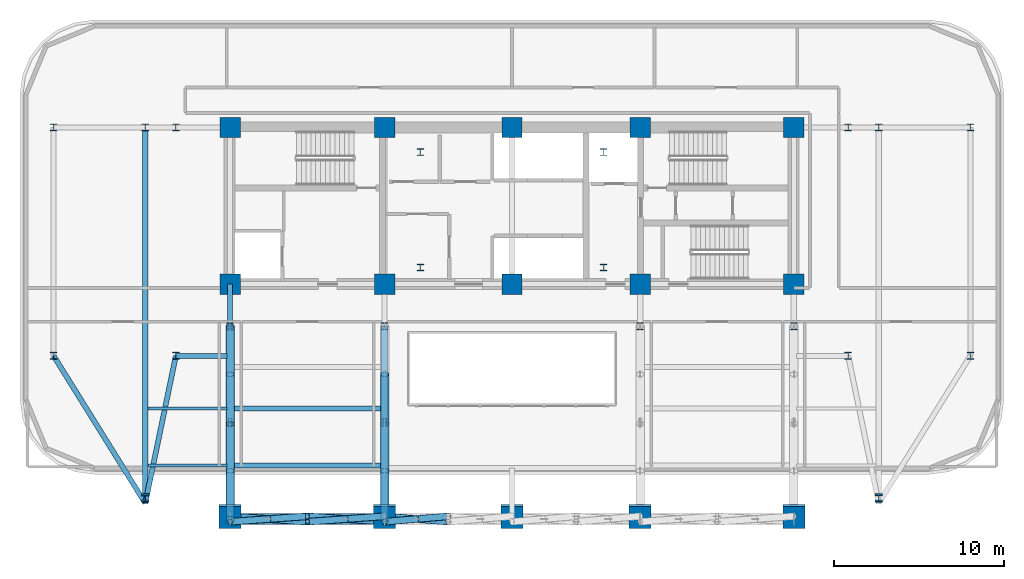
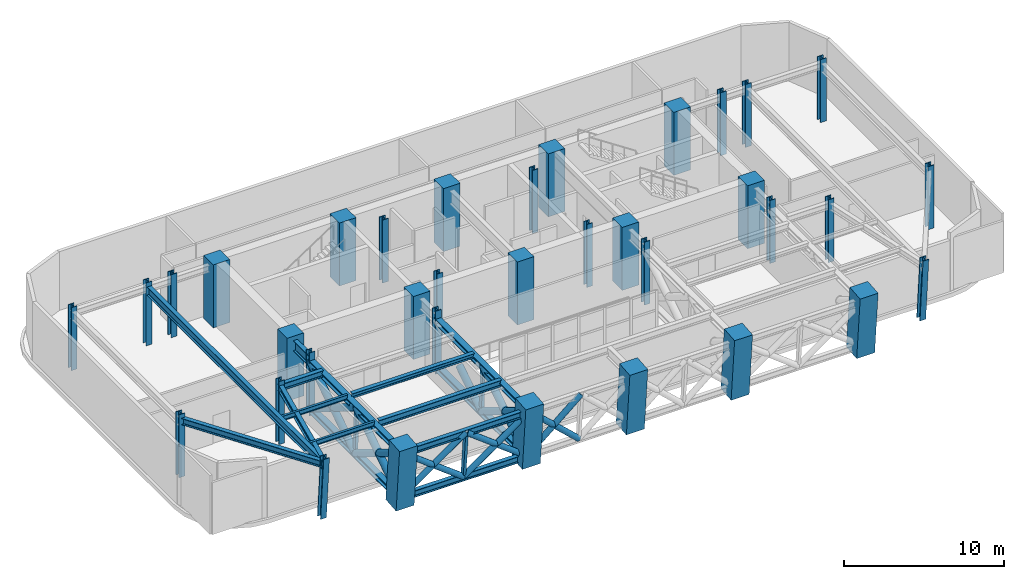
# One storey, part 1 of 13: 35 columns, 28 members, 9 beams.
"""IFC4 building model written with IfcOpenShell, lengths in metres."""

from ifc_helpers import new_model, si_unit, direction, frame, origin, origin_2d, place, context, subcontext, project, spatial, rectangle, hollow_rectangle, hollow_circle, i_section, extrude, material, material_profile, profile_set, type_object, element, save


model = new_model("IFC4")

# Units and contexts
model_context = context("Model", 3, precision=1e-05, world=origin(), true_north=direction((0.0, 1.0)))
body_context = subcontext(model_context, "Body", "Model", "MODEL_VIEW")
ifc_project = project(units=[si_unit("LENGTHUNIT", "METRE"), si_unit("AREAUNIT", "SQUARE_METRE"), si_unit("VOLUMEUNIT", "CUBIC_METRE"), si_unit("PLANEANGLEUNIT", "RADIAN"), si_unit("MASSUNIT", "GRAM", prefix="KILO")], contexts=[model_context])

# Site, building, storey
site_placement = place(None, origin())
site = spatial("IfcSite", under=ifc_project, at=site_placement, CompositionType="ELEMENT")
building_placement = place(site_placement, origin())
building = spatial("IfcBuilding", under=site, at=building_placement, Name="Zarnavel Station Tower", CompositionType="ELEMENT")
storey_placement = place(building_placement, frame((0.0, 0.0, 132.89990234375)))
storey = spatial("IfcBuildingStorey", under=building, at=storey_placement, Name="L36", CompositionType="ELEMENT", Elevation=132.89990234375)

# Columns
ifc_material_1 = material(Name="Steel S460M", Category="steel")
ifc_material_profile_1 = material_profile(ifc_material_1, i_section(OverallWidth=0.41796875, OverallDepth=0.431884765625, WebThickness=0.034912109375, FlangeThickness=0.055908203125, FilletRadius=0.014892578125, at=origin_2d()), Name="HD400x421")
ifc_profile_set_1 = profile_set([ifc_material_profile_1], Name="Steel S460M")
column_type_1 = type_object("IfcColumnType", Name="EC_HD421", PredefinedType="COLUMN", material=ifc_profile_set_1)
for number, where, z_axis, x_axis, name in (
    (1, (1.800048828125, 23.60009765625, 0.0), (0.0, 0.0, 1.0), (1.0, 0.0, 0.0), "L36 Outer Wing South Column 1"),
    (2, (1.800048828125, 37.050048828125, 0.0), (0.0, 0.0, 1.0), (1.0, 0.0, 0.0), "L36 Outer Wing North Column 1"),
):
    element("IfcColumn", number, at=place(storey_placement, frame(where, z_axis=z_axis, x_axis=x_axis)), inside=storey, type_object=column_type_1, Name=name, PredefinedType="COLUMN", context=body_context, shape_type="SweptSolid", body=[
        extrude(i_section(OverallWidth=0.41796875, OverallDepth=0.431884765625, WebThickness=0.034912109375, FlangeThickness=0.055908203125, FilletRadius=0.014892578125, at=origin_2d()), origin(), (0.0, 0.0, 1.0), 4.800048828125),
    ])
for number, where, z_axis, x_axis, name in (
    (3, (7.199951171875, 15.2724609375, 0.0), (0.0, -0.079902397774, 0.996802692026), (1.0, 0.0, 0.0), "L36 Raked Wing Column 2"),
    (4, (50.39990234375, 15.2724609375, 0.0), (0.0, -0.079902397774, 0.996802692026), (1.0, 0.0, 0.0), "L36 Raked Wing Column 3"),
):
    element("IfcColumn", number, at=place(storey_placement, frame(where, z_axis=z_axis, x_axis=x_axis)), inside=storey, type_object=column_type_1, Name=name, PredefinedType="COLUMN", context=body_context, shape_type="SweptSolid", body=[
        extrude(i_section(OverallWidth=0.41796875, OverallDepth=0.431884765625, WebThickness=0.034912109375, FlangeThickness=0.055908203125, FilletRadius=0.014892578125, at=origin_2d()), origin(), (0.0, 0.0, 1.0), 4.8154296875),
    ])
for number, where, z_axis, x_axis, name in (
    (5, (55.800048828125, 23.60009765625, 0.0), (0.0, 0.0, 1.0), (1.0, 0.0, 0.0), "L36 Outer Wing South Column 4"),
    (6, (55.800048828125, 37.050048828125, 0.0), (0.0, 0.0, 1.0), (1.0, 0.0, 0.0), "L36 Outer Wing North Column 4"),
):
    element("IfcColumn", number, at=place(storey_placement, frame(where, z_axis=z_axis, x_axis=x_axis)), inside=storey, type_object=column_type_1, Name=name, PredefinedType="COLUMN", context=body_context, shape_type="SweptSolid", body=[
        extrude(i_section(OverallWidth=0.41796875, OverallDepth=0.431884765625, WebThickness=0.034912109375, FlangeThickness=0.055908203125, FilletRadius=0.014892578125, at=origin_2d()), origin(), (0.0, 0.0, 1.0), 4.800048828125),
    ])
ifc_material_2 = material(Name="Steel S460M", Category="steel")
ifc_material_profile_2 = material_profile(ifc_material_2, i_section(OverallWidth=0.41796875, OverallDepth=0.431884765625, WebThickness=0.034912109375, FlangeThickness=0.055908203125, FilletRadius=0.014892578125, at=origin_2d()), Name="HD400x421")
ifc_profile_set_2 = profile_set([ifc_material_profile_2], Name="Steel S460M")
column_type_2 = type_object("IfcColumnType", Name="IC_HD421", PredefinedType="COLUMN", material=ifc_profile_set_2)
for number, where, z_axis, x_axis, name in (
    (7, (23.39990234375, 28.800048828125, 0.0), (0.0, 0.0, 1.0), (1.0, 0.0, 0.0), "L36 Mast Spine Column 1"),
    (8, (34.199951171875, 28.800048828125, 0.0), (0.0, 0.0, 1.0), (1.0, 0.0, 0.0), "L36 Mast Spine Column 2"),
    (9, (34.199951171875, 35.60009765625, 0.0), (0.0, 0.0, 1.0), (1.0, 0.0, 0.0), "L36 Mast Spine Column 3"),
    (10, (23.39990234375, 35.60009765625, 0.0), (0.0, 0.0, 1.0), (1.0, 0.0, 0.0), "L36 Mast Spine Column 4"),
    (11, (12.199951171875, 25.35009765625, 0.0), (0.0, 0.0, 1.0), (1.0, 0.0, 0.0), "L36 Inner Spine Column 1"),
    (12, (21.300048828125, 25.35009765625, 0.0), (0.0, 0.0, 1.0), (1.0, 0.0, 0.0), "L36 Inner Spine Column 2"),
    (13, (36.35009765625, 25.35009765625, 0.0), (0.0, 0.0, 1.0), (1.0, 0.0, 0.0), "L36 Inner Spine Column 4"),
    (14, (45.39990234375, 25.35009765625, 0.0), (0.0, 0.0, 1.0), (1.0, 0.0, 0.0), "L36 Inner Spine Column 5"),
    (15, (9.0, 23.60009765625, 0.0), (0.0, 0.0, 1.0), (1.0, 0.0, 0.0), "L36 Inner Wing Spine Column 1-1"),
    (16, (9.0, 37.050048828125, 0.0), (0.0, 0.0, 1.0), (1.0, 0.0, 0.0), "L36 Inner Wing Spine Column 1-2"),
    (17, (48.60009765625, 23.60009765625, 0.0), (0.0, 0.0, 1.0), (1.0, 0.0, 0.0), "L36 Inner Wing Spine Column 2-1"),
    (18, (48.60009765625, 37.050048828125, 0.0), (0.0, 0.0, 1.0), (1.0, 0.0, 0.0), "L36 Inner Wing Spine Column 2-2"),
    (19, (7.199951171875, 37.050048828125, 0.0), (0.0, 0.0, 1.0), (1.0, 0.0, 0.0), "L36 Outer Wing North Column 2"),
    (20, (50.39990234375, 37.050048828125, 0.0), (0.0, 0.0, 1.0), (1.0, 0.0, 0.0), "L36 Outer Wing North Column 3"),
):
    element("IfcColumn", number, at=place(storey_placement, frame(where, z_axis=z_axis, x_axis=x_axis)), inside=storey, type_object=column_type_2, Name=name, PredefinedType="COLUMN", context=body_context, shape_type="SweptSolid", body=[
        extrude(i_section(OverallWidth=0.41796875, OverallDepth=0.431884765625, WebThickness=0.034912109375, FlangeThickness=0.055908203125, FilletRadius=0.014892578125, at=origin_2d()), origin(), (0.0, 0.0, 1.0), 4.800048828125),
    ])
ifc_material_3 = material(Name="Concrete C50/60", Category="concrete")
ifc_material_profile_3 = material_profile(ifc_material_3, rectangle(XDim=1.199951171875, YDim=1.199951171875, at=origin_2d()), Name="RC1200x1200")
ifc_profile_set_3 = profile_set([ifc_material_profile_3], Name="Concrete C50/60")
column_type_3 = type_object("IfcColumnType", Name="IC_RC1200", PredefinedType="COLUMN", material=ifc_profile_set_3)
for number, where, z_axis, x_axis, name in (
    (21, (12.199951171875, 27.820068359375, 0.0), (0.0, 0.0, 1.0), (1.0, 0.0, 0.0), "L36 Core Spine Column 1-1"),
    (22, (12.199951171875, 37.050048828125, 0.0), (0.0, 0.0, 1.0), (1.0, 0.0, 0.0), "L36 Core Spine Column 1-2"),
    (23, (21.300048828125, 27.820068359375, 0.0), (0.0, 0.0, 1.0), (1.0, 0.0, 0.0), "L36 Core Spine Column 2-1"),
    (24, (21.300048828125, 37.050048828125, 0.0), (0.0, 0.0, 1.0), (1.0, 0.0, 0.0), "L36 Core Spine Column 2-2"),
    (25, (28.800048828125, 27.820068359375, 0.0), (0.0, 0.0, 1.0), (1.0, 0.0, 0.0), "L36 Core Spine Column 3-1"),
    (26, (28.800048828125, 37.050048828125, 0.0), (0.0, 0.0, 1.0), (1.0, 0.0, 0.0), "L36 Core Spine Column 3-2"),
    (27, (36.35009765625, 27.820068359375, 0.0), (0.0, 0.0, 1.0), (1.0, 0.0, 0.0), "L36 Core Spine Column 4-1"),
    (28, (36.35009765625, 37.050048828125, 0.0), (0.0, 0.0, 1.0), (1.0, 0.0, 0.0), "L36 Core Spine Column 4-2"),
    (29, (45.39990234375, 27.820068359375, 0.0), (0.0, 0.0, 1.0), (1.0, 0.0, 0.0), "L36 Core Spine Column 5-1"),
    (30, (45.39990234375, 37.050048828125, 0.0), (0.0, 0.0, 1.0), (1.0, 0.0, 0.0), "L36 Core Spine Column 5-2"),
):
    element("IfcColumn", number, at=place(storey_placement, frame(where, z_axis=z_axis, x_axis=x_axis)), inside=storey, type_object=column_type_3, Name=name, PredefinedType="COLUMN", context=body_context, shape_type="SweptSolid", body=[
        extrude(rectangle(XDim=1.199951171875, YDim=1.199951171875, at=origin_2d()), origin(), (0.0, 0.0, 1.0), 4.800048828125),
    ])
ifc_material_4 = material(Name="Concrete C60/75", Category="concrete")
ifc_material_profile_4 = material_profile(ifc_material_4, rectangle(XDim=1.300048828125, YDim=1.300048828125, at=origin_2d()), Name="RC1300x1300")
ifc_profile_set_4 = profile_set([ifc_material_profile_4], Name="Concrete C60/75")
column_type_4 = type_object("IfcColumnType", Name="MC_RC1300", PredefinedType="COLUMN", material=ifc_profile_set_4)
for number, where, z_axis, x_axis, name in (
    (31, (12.199951171875, 14.1845703125, 0.0), (0.0, -0.09026627752, 0.995917666849), (1.0, 0.0, 0.0), "L36 Raked South Mega-Column 1"),
    (32, (21.300048828125, 14.1845703125, 0.0), (0.0, -0.09026627752, 0.995917666849), (1.0, 0.0, 0.0), "L36 Raked South Mega-Column 2"),
    (33, (28.800048828125, 14.1845703125, 0.0), (0.0, -0.09026627752, 0.995917666849), (1.0, 0.0, 0.0), "L36 Raked South Mega-Column 3"),
    (34, (36.35009765625, 14.1845703125, 0.0), (0.0, -0.09026627752, 0.995917666849), (1.0, 0.0, 0.0), "L36 Raked South Mega-Column 4"),
    (35, (45.39990234375, 14.1845703125, 0.0), (0.0, -0.09026627752, 0.995917666849), (1.0, 0.0, 0.0), "L36 Raked South Mega-Column 5"),
):
    element("IfcColumn", number, at=place(storey_placement, frame(where, z_axis=z_axis, x_axis=x_axis)), inside=storey, type_object=column_type_4, Name=name, PredefinedType="COLUMN", context=body_context, shape_type="SweptSolid", body=[
        extrude(rectangle(XDim=1.300048828125, YDim=1.300048828125, at=origin_2d()), origin(), (0.0, 0.0, 1.0), 4.81982421875),
    ])

# Members
ifc_material_5 = material(Name="Steel S460M", Category="steel")
ifc_material_profile_5 = material_profile(ifc_material_5, i_section(OverallWidth=0.300048828125, OverallDepth=0.5, WebThickness=0.014404296875, FlangeThickness=0.028076171875, FilletRadius=0.027099609375, at=origin_2d()), Name="HEB500")
ifc_profile_set_5 = profile_set([ifc_material_profile_5], Name="Steel S460M")
member_type_1 = type_object("IfcMemberType", Name="BT_CHORD_HEB500", PredefinedType="CHORD", material=ifc_profile_set_5)
for number, where, z_axis, x_axis, name in (
    (36, (12.199951171875, 14.148193359375, 0.400146484375), (1.0, 0.0, 0.0), (0.0, 1.0, 0.0), "L36 Perimeter Belt Truss Bottom Chord 1"),
    (37, (12.199951171875, 13.823974609375, 3.97998046875), (1.0, 0.0, 0.0), (0.0, 1.0, 0.0), "L36 Perimeter Belt Truss Top Chord 1"),
):
    element("IfcMember", number, at=place(storey_placement, frame(where, z_axis=z_axis, x_axis=x_axis)), inside=storey, type_object=member_type_1, Name=name, PredefinedType="CHORD", context=body_context, shape_type="SweptSolid", body=[
        extrude(i_section(OverallWidth=0.300048828125, OverallDepth=0.5, WebThickness=0.014404296875, FlangeThickness=0.028076171875, FilletRadius=0.027099609375, at=origin_2d()), origin(), (0.0, 0.0, 1.0), 9.10009765625),
    ])
ifc_material_6 = material(Name="Steel S460M", Category="steel")
ifc_material_profile_6 = material_profile(ifc_material_6, hollow_circle(Radius=0.203125, WallThickness=0.01611328125, at=origin_2d()), Name="CHS406.4x16")
ifc_profile_set_6 = profile_set([ifc_material_profile_6], Name="Steel S460M")
member_type_2 = type_object("IfcMemberType", Name="BT_DIAG_CHS406", PredefinedType="BRACE", material=ifc_profile_set_6)
member_1_placement = place(storey_placement, frame((12.199951171875, 14.148193359375, 0.400146484375), z_axis=(0.784686282694, -0.055913686936, 0.617366258687), x_axis=(0.071075890405, 0.997470910755, 0.0)))
element("IfcMember", 38, at=member_1_placement, inside=storey, type_object=member_type_2, Name="L36 Belt Truss Continuous Diagonal A1 1", PredefinedType="BRACE", context=body_context, shape_type="SweptSolid", body=[
    extrude(hollow_circle(Radius=0.203125, WallThickness=0.01611328125, at=origin_2d()), origin(), (0.0, 0.0, 1.0), 5.798583984375),
])
member_2_placement = place(storey_placement, frame((16.75, 14.148193359375, 0.400146484375), z_axis=(-0.784649705334, -0.055914080741, 0.61741271083), x_axis=(0.071079685039, -0.997470640357, 0.0)))
element("IfcMember", 39, at=member_2_placement, inside=storey, type_object=member_type_2, Name="L36 Belt Truss Split Diagonal B1 Lower 1", PredefinedType="BRACE", context=body_context, shape_type="SweptSolid", body=[
    extrude(hollow_circle(Radius=0.203125, WallThickness=0.01611328125, at=origin_2d()), origin(), (0.0, 0.0, 1.0), 2.899169921875),
])
member_3_placement = place(storey_placement, frame((14.47509765625, 13.986083984375, 2.190185546875), z_axis=(-0.784722856796, -0.05591329294, 0.61731980504), x_axis=(0.071072096175, -0.99747118111, 0.0)))
element("IfcMember", 40, at=member_3_placement, inside=storey, type_object=member_type_2, Name="L36 Belt Truss Split Diagonal B1 Upper 1", PredefinedType="BRACE", context=body_context, shape_type="SweptSolid", body=[
    extrude(hollow_circle(Radius=0.203125, WallThickness=0.01611328125, at=origin_2d()), origin(), (0.0, 0.0, 1.0), 2.8994140625),
])
member_4_placement = place(storey_placement, frame((16.75, 14.148193359375, 0.400146484375), z_axis=(0.784686282694, -0.055913686936, 0.617366258687), x_axis=(0.071075890405, 0.997470910755, 0.0)))
element("IfcMember", 41, at=member_4_placement, inside=storey, type_object=member_type_2, Name="L36 Belt Truss Continuous Diagonal A2 1", PredefinedType="BRACE", context=body_context, shape_type="SweptSolid", body=[
    extrude(hollow_circle(Radius=0.203125, WallThickness=0.01611328125, at=origin_2d()), origin(), (0.0, 0.0, 1.0), 5.798583984375),
])
member_5_placement = place(storey_placement, frame((21.300048828125, 14.148193359375, 0.400146484375), z_axis=(-0.784682065335, -0.055910386456, 0.617371917913), x_axis=(0.071072096175, -0.99747118111, 0.0)))
element("IfcMember", 42, at=member_5_placement, inside=storey, type_object=member_type_2, Name="L36 Belt Truss Split Diagonal B2 Lower 1", PredefinedType="BRACE", context=body_context, shape_type="SweptSolid", body=[
    extrude(hollow_circle(Radius=0.203125, WallThickness=0.01611328125, at=origin_2d()), origin(), (0.0, 0.0, 1.0), 2.8994140625),
])
member_6_placement = place(storey_placement, frame((19.02490234375, 13.986083984375, 2.190185546875), z_axis=(-0.784690500504, -0.055916987802, 0.617360598754), x_axis=(0.071079685039, -0.997470640357, 0.0)))
element("IfcMember", 43, at=member_6_placement, inside=storey, type_object=member_type_2, Name="L36 Belt Truss Split Diagonal B2 Upper 1", PredefinedType="BRACE", context=body_context, shape_type="SweptSolid", body=[
    extrude(hollow_circle(Radius=0.203125, WallThickness=0.01611328125, at=origin_2d()), origin(), (0.0, 0.0, 1.0), 2.899169921875),
])
member_7_placement = place(storey_placement, frame((21.300048828125, 14.148193359375, 0.400146484375), z_axis=(0.721917427316, -0.06241577757, 0.689158544058), x_axis=(0.086136993838, 0.996283302225, 0.0)))
element("IfcMember", 44, at=member_7_placement, inside=storey, type_object=member_type_2, Name="L36 Belt Truss Continuous Diagonal A1 2", PredefinedType="BRACE", context=body_context, shape_type="SweptSolid", body=[
    extrude(hollow_circle(Radius=0.203125, WallThickness=0.01611328125, at=origin_2d()), origin(), (0.0, 0.0, 1.0), 5.194580078125),
])
member_8_placement = place(storey_placement, frame((25.050048828125, 14.148193359375, 0.400146484375), z_axis=(-0.721894044506, -0.062413755931, 0.689183220615), x_axis=(0.086136993838, -0.996283302225, 0.0)))
element("IfcMember", 45, at=member_8_placement, inside=storey, type_object=member_type_2, Name="L36 Belt Truss Split Diagonal B1 Lower 2", PredefinedType="BRACE", context=body_context, shape_type="SweptSolid", body=[
    extrude(hollow_circle(Radius=0.203125, WallThickness=0.01611328125, at=origin_2d()), origin(), (0.0, 0.0, 1.0), 2.597412109375),
])
member_9_placement = place(storey_placement, frame((23.175048828125, 13.986083984375, 2.190185546875), z_axis=(-0.721940810803, -0.062417799267, 0.689133865103), x_axis=(0.086136993838, -0.996283302225, 0.0)))
element("IfcMember", 46, at=member_9_placement, inside=storey, type_object=member_type_2, Name="L36 Belt Truss Split Diagonal B1 Upper 2", PredefinedType="BRACE", context=body_context, shape_type="SweptSolid", body=[
    extrude(hollow_circle(Radius=0.203125, WallThickness=0.01611328125, at=origin_2d()), origin(), (0.0, 0.0, 1.0), 2.59716796875),
])
ifc_material_7 = material(Name="Steel S460M", Category="steel")
ifc_material_profile_7 = material_profile(ifc_material_7, hollow_rectangle(XDim=0.199951171875, YDim=0.300048828125, WallThickness=0.012451171875, at=origin_2d()), Name="RHS300x200x12.5")
ifc_profile_set_7 = profile_set([ifc_material_profile_7], Name="Steel S460M")
member_type_3 = type_object("IfcMemberType", Name="BT_POST_RHS300", PredefinedType="POST", material=ifc_profile_set_7)
for number, where, z_axis, x_axis, name in (
    (47, (12.199951171875, 19.749267578125, 0.400146484375), (0.0, -0.045305678131, 0.998973170575), (1.0, 0.0, 0.0), "L36 Outrigger Mid-Span Post 1"),
    (48, (21.300048828125, 19.749267578125, 0.400146484375), (0.0, -0.045305678131, 0.998973170575), (1.0, 0.0, 0.0), "L36 Outrigger Mid-Span Post 2"),
):
    element("IfcMember", number, at=place(storey_placement, frame(where, z_axis=z_axis, x_axis=x_axis)), inside=storey, type_object=member_type_3, Name=name, PredefinedType="POST", context=body_context, shape_type="SweptSolid", body=[
        extrude(hollow_rectangle(XDim=0.199951171875, YDim=0.300048828125, WallThickness=0.012451171875, at=origin_2d()), origin(), (0.0, 0.0, 1.0), 3.58349609375),
    ])
member_10_placement = place(storey_placement, frame((16.75, 14.148193359375, 0.400146484375), z_axis=(0.0, -0.090198920139, 0.995923769576), x_axis=(1.0, 0.0, 0.0)))
element("IfcMember", 49, at=member_10_placement, inside=storey, type_object=member_type_3, Name="L36 Belt Truss Mid-Bay Post 1", PredefinedType="POST", context=body_context, shape_type="SweptSolid", body=[
    extrude(hollow_rectangle(XDim=0.199951171875, YDim=0.300048828125, WallThickness=0.012451171875, at=origin_2d()), origin(), (0.0, 0.0, 1.0), 3.594482421875),
])

# Beams
ifc_material_8 = material(Name="Steel S355J2", Category="steel")
ifc_material_profile_8 = material_profile(ifc_material_8, i_section(OverallWidth=0.300048828125, OverallDepth=0.35009765625, WebThickness=0.010009765625, FlangeThickness=0.017578125, FilletRadius=0.027099609375, at=origin_2d()), Name="HEA360")
ifc_profile_set_8 = profile_set([ifc_material_profile_8], Name="Steel S355J2")
beam_type_1 = type_object("IfcBeamType", Name="FB_HEA360", PredefinedType="BEAM", material=ifc_profile_set_8)
beam_1_placement = place(storey_placement, frame((12.344970703125, 20.4892578125, 4.30517578125), z_axis=(1.0, 0.0, 0.0), x_axis=(0.0, 1.0, 0.0)))
element("IfcBeam", 50, at=beam_1_placement, inside=storey, type_object=beam_type_1, Name="L36 West Bay Beam 2", PredefinedType="BEAM", context=body_context, shape_type="SweptSolid", body=[
    extrude(i_section(OverallWidth=0.300048828125, OverallDepth=0.35009765625, WebThickness=0.010009765625, FlangeThickness=0.017578125, FilletRadius=0.027099609375, at=origin_2d()), origin(), (0.0, 0.0, 1.0), 8.81005859375),
])
ifc_material_9 = material(Name="Steel S355J2", Category="steel")
ifc_material_profile_9 = material_profile(ifc_material_9, i_section(OverallWidth=0.300048828125, OverallDepth=0.489990234375, WebThickness=0.011962890625, FlangeThickness=0.02294921875, FilletRadius=0.027099609375, at=origin_2d()), Name="HEA500")
ifc_profile_set_9 = profile_set([ifc_material_profile_9], Name="Steel S355J2")
beam_type_2 = type_object("IfcBeamType", Name="FB_HEA500", PredefinedType="BEAM", material=ifc_profile_set_9)
beam_2_placement = place(storey_placement, frame((12.344970703125, 17.1337890625, 4.235107421875), z_axis=(1.0, 0.0, 0.0), x_axis=(0.0, 1.0, 0.0)))
element("IfcBeam", 51, at=beam_2_placement, inside=storey, type_object=beam_type_2, Name="L36 West Bay Beam 1", PredefinedType="BEAM", context=body_context, shape_type="SweptSolid", body=[
    extrude(i_section(OverallWidth=0.300048828125, OverallDepth=0.489990234375, WebThickness=0.011962890625, FlangeThickness=0.02294921875, FilletRadius=0.027099609375, at=origin_2d()), origin(), (0.0, 0.0, 1.0), 8.81005859375),
])
ifc_material_10 = material(Name="Steel S355J2", Category="steel")
ifc_material_profile_10 = material_profile(ifc_material_10, i_section(OverallWidth=0.300048828125, OverallDepth=0.5, WebThickness=0.014404296875, FlangeThickness=0.028076171875, FilletRadius=0.027099609375, at=origin_2d()), Name="HEB500")
ifc_profile_set_10 = profile_set([ifc_material_profile_10], Name="Steel S355J2")
beam_type_3 = type_object("IfcBeamType", Name="FG_HEB500", PredefinedType="USERDEFINED", material=ifc_profile_set_10)
beam_3_placement = place(storey_placement, frame((1.800048828125, 23.60009765625, 4.22998046875), z_axis=(0.527935517049, -0.849284457551, 0.0), x_axis=(0.849284457551, 0.527935517049, 0.0)))
element("IfcBeam", 52, at=beam_3_placement, inside=storey, type_object=beam_type_3, Name="L36 West Wing South Tie 1", ObjectType="GIRDER", PredefinedType="USERDEFINED", context=body_context, shape_type="SweptSolid", body=[
    extrude(i_section(OverallWidth=0.300048828125, OverallDepth=0.5, WebThickness=0.014404296875, FlangeThickness=0.028076171875, FilletRadius=0.027099609375, at=origin_2d()), origin(), (0.0, 0.0, 1.0), 10.228271484375),
])
beam_4_placement = place(storey_placement, frame((7.199951171875, 14.913330078125, 4.22998046875), z_axis=(0.202906810973, 0.979198052521, 0.0), x_axis=(-0.979198052521, 0.202906810973, 0.0)))
element("IfcBeam", 53, at=beam_4_placement, inside=storey, type_object=beam_type_3, Name="L36 West Wing South Tie 2", ObjectType="GIRDER", PredefinedType="USERDEFINED", context=body_context, shape_type="SweptSolid", body=[
    extrude(i_section(OverallWidth=0.300048828125, OverallDepth=0.5, WebThickness=0.014404296875, FlangeThickness=0.028076171875, FilletRadius=0.027099609375, at=origin_2d()), origin(), (0.0, 0.0, 1.0), 8.871337890625),
])
beam_5_placement = place(storey_placement, frame((9.0, 23.60009765625, 4.22998046875), z_axis=(1.0, 0.0, 0.0), x_axis=(0.0, 1.0, 0.0)))
element("IfcBeam", 54, at=beam_5_placement, inside=storey, type_object=beam_type_3, Name="L36 West Wing South Tie 3", ObjectType="GIRDER", PredefinedType="USERDEFINED", context=body_context, shape_type="SweptSolid", body=[
    extrude(i_section(OverallWidth=0.300048828125, OverallDepth=0.5, WebThickness=0.014404296875, FlangeThickness=0.028076171875, FilletRadius=0.027099609375, at=origin_2d()), origin(), (0.0, 0.0, 1.0), 3.054931640625),
])
ifc_material_11 = material(Name="Steel S355J2", Category="steel")
ifc_material_profile_11 = material_profile(ifc_material_11, i_section(OverallWidth=0.300048828125, OverallDepth=0.64990234375, WebThickness=0.01611328125, FlangeThickness=0.031005859375, FilletRadius=0.027099609375, at=origin_2d()), Name="HEB650")
ifc_profile_set_11 = profile_set([ifc_material_profile_11], Name="Steel S355J2")
beam_type_4 = type_object("IfcBeamType", Name="FG_HEB650", PredefinedType="USERDEFINED", material=ifc_profile_set_11)
beam_6_placement = place(storey_placement, frame((7.199951171875, 14.913330078125, 4.155029296875), z_axis=(0.0, 1.0, 0.0), x_axis=(-1.0, 0.0, 0.0)))
element("IfcBeam", 55, at=beam_6_placement, inside=storey, type_object=beam_type_4, Name="L36 Wing NS Girder 2", ObjectType="GIRDER", PredefinedType="USERDEFINED", context=body_context, shape_type="SweptSolid", body=[
    extrude(i_section(OverallWidth=0.300048828125, OverallDepth=0.64990234375, WebThickness=0.01611328125, FlangeThickness=0.031005859375, FilletRadius=0.027099609375, at=origin_2d()), origin(), (0.0, 0.0, 1.0), 22.13671875),
])
ifc_material_12 = material(Name="Steel S460M", Category="steel")
ifc_material_profile_12 = material_profile(ifc_material_12, i_section(OverallWidth=0.302978515625, OverallDepth=0.81396484375, WebThickness=0.02099609375, FlangeThickness=0.0400390625, FilletRadius=0.030029296875, at=origin_2d()), Name="HEM800")
ifc_profile_set_12 = profile_set([ifc_material_profile_12], Name="Steel S460M")
beam_type_5 = type_object("IfcBeamType", Name="FG_HEM800", PredefinedType="USERDEFINED", material=ifc_profile_set_12)
beam_7_placement = place(storey_placement, frame((12.199951171875, 25.35009765625, 4.072998046875), z_axis=(0.0, 1.0, 0.0), x_axis=(-1.0, 0.0, 0.0)))
element("IfcBeam", 56, at=beam_7_placement, inside=storey, type_object=beam_type_5, Name="L36 Inner-Zone NS Girder 1", ObjectType="GIRDER", PredefinedType="USERDEFINED", context=body_context, shape_type="SweptSolid", body=[
    extrude(i_section(OverallWidth=0.302978515625, OverallDepth=0.81396484375, WebThickness=0.02099609375, FlangeThickness=0.0400390625, FilletRadius=0.030029296875, at=origin_2d()), origin(), (0.0, 0.0, 1.0), 2.469970703125),
])
ifc_material_13 = material(Name="Steel S355J2", Category="steel")
ifc_material_profile_13 = material_profile(ifc_material_13, i_section(OverallWidth=0.169921875, OverallDepth=0.360107421875, WebThickness=0.008056640625, FlangeThickness=0.0126953125, FilletRadius=0.01806640625, at=origin_2d()), Name="IPE360")
ifc_profile_set_13 = profile_set([ifc_material_profile_13], Name="Steel S355J2")
beam_type_6 = type_object("IfcBeamType", Name="FJ_IPE360", PredefinedType="JOIST", material=ifc_profile_set_13)
for number, where, z_axis, x_axis, name in (
    (57, (7.344970703125, 17.1337890625, 4.300048828125), (1.0, 0.0, 0.0), (0.0, 1.0, 0.0), "L36 West Wing Joist 1"),
    (58, (7.344970703125, 20.4892578125, 4.300048828125), (1.0, 0.0, 0.0), (0.0, 1.0, 0.0), "L36 West Wing Joist 2"),
):
    element("IfcBeam", number, at=place(storey_placement, frame(where, z_axis=z_axis, x_axis=x_axis)), inside=storey, type_object=beam_type_6, Name=name, PredefinedType="JOIST", context=body_context, shape_type="SweptSolid", body=[
        extrude(i_section(OverallWidth=0.169921875, OverallDepth=0.360107421875, WebThickness=0.008056640625, FlangeThickness=0.0126953125, FilletRadius=0.01806640625, at=origin_2d()), origin(), (0.0, 0.0, 1.0), 4.7099609375),
    ])

# Members
ifc_material_14 = material(Name="Steel S460M", Category="steel")
ifc_material_profile_14 = material_profile(ifc_material_14, i_section(OverallWidth=0.41796875, OverallDepth=0.431884765625, WebThickness=0.034912109375, FlangeThickness=0.055908203125, FilletRadius=0.014892578125, at=origin_2d()), Name="HD400x421")
ifc_profile_set_14 = profile_set([ifc_material_profile_14], Name="Steel S460M")
member_type_4 = type_object("IfcMemberType", Name="OT_CHORD_HD421", PredefinedType="CHORD", material=ifc_profile_set_14)
member_11_placement = place(storey_placement, frame((12.199951171875, 14.148193359375, 0.400146484375), z_axis=(0.0, 1.0, 0.0), x_axis=(-1.0, 0.0, 0.0)))
element("IfcMember", 59, at=member_11_placement, inside=storey, type_object=member_type_4, Name="L36 Outrigger Bottom Chord 1", PredefinedType="CHORD", context=body_context, shape_type="SweptSolid", body=[
    extrude(i_section(OverallWidth=0.41796875, OverallDepth=0.431884765625, WebThickness=0.034912109375, FlangeThickness=0.055908203125, FilletRadius=0.014892578125, at=origin_2d()), origin(), (0.0, 0.0, 1.0), 11.201904296875),
])
member_12_placement = place(storey_placement, frame((12.199951171875, 13.823974609375, 3.97998046875), z_axis=(0.0, 1.0, 0.0), x_axis=(-1.0, 0.0, 0.0)))
element("IfcMember", 60, at=member_12_placement, inside=storey, type_object=member_type_4, Name="L36 Outrigger Top Chord 1", PredefinedType="CHORD", context=body_context, shape_type="SweptSolid", body=[
    extrude(i_section(OverallWidth=0.41796875, OverallDepth=0.431884765625, WebThickness=0.034912109375, FlangeThickness=0.055908203125, FilletRadius=0.014892578125, at=origin_2d()), origin(), (0.0, 0.0, 1.0), 11.526123046875),
])
member_13_placement = place(storey_placement, frame((21.300048828125, 14.148193359375, 0.400146484375), z_axis=(0.0, 1.0, 0.0), x_axis=(-1.0, 0.0, 0.0)))
element("IfcMember", 61, at=member_13_placement, inside=storey, type_object=member_type_4, Name="L36 Outrigger Bottom Chord 2", PredefinedType="CHORD", context=body_context, shape_type="SweptSolid", body=[
    extrude(i_section(OverallWidth=0.41796875, OverallDepth=0.431884765625, WebThickness=0.034912109375, FlangeThickness=0.055908203125, FilletRadius=0.014892578125, at=origin_2d()), origin(), (0.0, 0.0, 1.0), 11.201904296875),
])
member_14_placement = place(storey_placement, frame((21.300048828125, 13.823974609375, 3.97998046875), z_axis=(0.0, 1.0, 0.0), x_axis=(-1.0, 0.0, 0.0)))
element("IfcMember", 62, at=member_14_placement, inside=storey, type_object=member_type_4, Name="L36 Outrigger Top Chord 2", PredefinedType="CHORD", context=body_context, shape_type="SweptSolid", body=[
    extrude(i_section(OverallWidth=0.41796875, OverallDepth=0.431884765625, WebThickness=0.034912109375, FlangeThickness=0.055908203125, FilletRadius=0.014892578125, at=origin_2d()), origin(), (0.0, 0.0, 1.0), 11.526123046875),
])
ifc_material_15 = material(Name="Steel S460M", Category="steel")
ifc_material_profile_15 = material_profile(ifc_material_15, hollow_circle(Radius=0.25390625, WallThickness=0.02001953125, at=origin_2d()), Name="CHS508x20")
ifc_profile_set_15 = profile_set([ifc_material_profile_15], Name="Steel S460M")
member_type_5 = type_object("IfcMemberType", Name="OT_DIAG_CHS508", PredefinedType="STRUT", material=ifc_profile_set_15)
member_15_placement = place(storey_placement, frame((12.199951171875, 25.35009765625, 0.400146484375), z_axis=(0.0, -0.849462756708, 0.527648580938), x_axis=(1.0, 0.0, 0.0)))
element("IfcMember", 63, at=member_15_placement, inside=storey, type_object=member_type_5, Name="L36 Outrigger Continuous Inner Diagonal 1", PredefinedType="STRUT", context=body_context, shape_type="SweptSolid", body=[
    extrude(hollow_circle(Radius=0.25390625, WallThickness=0.02001953125, at=origin_2d()), origin(), (0.0, 0.0, 1.0), 6.784423828125),
])
member_16_placement = place(storey_placement, frame((12.199951171875, 19.749267578125, 0.400146484375), z_axis=(0.0, 0.83897227662, 0.544174162436), x_axis=(-1.0, 0.0, 0.0)))
element("IfcMember", 64, at=member_16_placement, inside=storey, type_object=member_type_5, Name="L36 Outrigger Split Inner Strut Lower 1", PredefinedType="STRUT", context=body_context, shape_type="SweptSolid", body=[
    extrude(hollow_circle(Radius=0.25390625, WallThickness=0.02001953125, at=origin_2d()), origin(), (0.0, 0.0, 1.0), 3.28955078125),
])
member_17_placement = place(storey_placement, frame((12.199951171875, 22.509033203125, 2.190185546875), z_axis=(0.0, 0.846101683144, 0.533021520936), x_axis=(-1.0, 0.0, 0.0)))
element("IfcMember", 65, at=member_17_placement, inside=storey, type_object=member_type_5, Name="L36 Outrigger Split Inner Strut Upper 1", PredefinedType="STRUT", context=body_context, shape_type="SweptSolid", body=[
    extrude(hollow_circle(Radius=0.25390625, WallThickness=0.02001953125, at=origin_2d()), origin(), (0.0, 0.0, 1.0), 3.35791015625),
])
member_18_placement = place(storey_placement, frame((12.199951171875, 19.749267578125, 0.400146484375), z_axis=(0.0, -0.85591749309, 0.517112410432), x_axis=(1.0, 0.0, 0.0)))
element("IfcMember", 66, at=member_18_placement, inside=storey, type_object=member_type_5, Name="L36 Outrigger Continuous Outer Diagonal 1", PredefinedType="STRUT", context=body_context, shape_type="SweptSolid", body=[
    extrude(hollow_circle(Radius=0.25390625, WallThickness=0.02001953125, at=origin_2d()), origin(), (0.0, 0.0, 1.0), 6.9228515625),
])
member_19_placement = place(storey_placement, frame((12.199951171875, 14.148193359375, 0.400146484375), z_axis=(0.0, 0.831466958854, 0.555574204166), x_axis=(-1.0, 0.0, 0.0)))
element("IfcMember", 67, at=member_19_placement, inside=storey, type_object=member_type_5, Name="L36 Outrigger Split Outer Strut Lower 1", PredefinedType="STRUT", context=body_context, shape_type="SweptSolid", body=[
    extrude(hollow_circle(Radius=0.25390625, WallThickness=0.02001953125, at=origin_2d()), origin(), (0.0, 0.0, 1.0), 3.221923828125),
])
member_20_placement = place(storey_placement, frame((12.199951171875, 16.8271484375, 2.190185546875), z_axis=(0.0, 0.839006160855, 0.544121918367), x_axis=(-1.0, 0.0, 0.0)))
element("IfcMember", 68, at=member_20_placement, inside=storey, type_object=member_type_5, Name="L36 Outrigger Split Outer Strut Upper 1", PredefinedType="STRUT", context=body_context, shape_type="SweptSolid", body=[
    extrude(hollow_circle(Radius=0.25390625, WallThickness=0.02001953125, at=origin_2d()), origin(), (0.0, 0.0, 1.0), 3.289306640625),
])
member_21_placement = place(storey_placement, frame((21.300048828125, 19.749267578125, 0.400146484375), z_axis=(0.0, 0.83897227662, 0.544174162436), x_axis=(-1.0, 0.0, 0.0)))
element("IfcMember", 69, at=member_21_placement, inside=storey, type_object=member_type_5, Name="L36 Outrigger Split Inner Strut Lower 2", PredefinedType="STRUT", context=body_context, shape_type="SweptSolid", body=[
    extrude(hollow_circle(Radius=0.25390625, WallThickness=0.02001953125, at=origin_2d()), origin(), (0.0, 0.0, 1.0), 3.28955078125),
])
member_22_placement = place(storey_placement, frame((21.300048828125, 19.749267578125, 0.400146484375), z_axis=(0.0, -0.85591749309, 0.517112410432), x_axis=(1.0, 0.0, 0.0)))
element("IfcMember", 70, at=member_22_placement, inside=storey, type_object=member_type_5, Name="L36 Outrigger Continuous Outer Diagonal 2", PredefinedType="STRUT", context=body_context, shape_type="SweptSolid", body=[
    extrude(hollow_circle(Radius=0.25390625, WallThickness=0.02001953125, at=origin_2d()), origin(), (0.0, 0.0, 1.0), 6.9228515625),
])
member_23_placement = place(storey_placement, frame((21.300048828125, 14.148193359375, 0.400146484375), z_axis=(0.0, 0.831466958854, 0.555574204166), x_axis=(-1.0, 0.0, 0.0)))
element("IfcMember", 71, at=member_23_placement, inside=storey, type_object=member_type_5, Name="L36 Outrigger Split Outer Strut Lower 2", PredefinedType="STRUT", context=body_context, shape_type="SweptSolid", body=[
    extrude(hollow_circle(Radius=0.25390625, WallThickness=0.02001953125, at=origin_2d()), origin(), (0.0, 0.0, 1.0), 3.221923828125),
])
member_24_placement = place(storey_placement, frame((21.300048828125, 16.8271484375, 2.190185546875), z_axis=(0.0, 0.839006160855, 0.544121918367), x_axis=(-1.0, 0.0, 0.0)))
element("IfcMember", 72, at=member_24_placement, inside=storey, type_object=member_type_5, Name="L36 Outrigger Split Outer Strut Upper 2", PredefinedType="STRUT", context=body_context, shape_type="SweptSolid", body=[
    extrude(hollow_circle(Radius=0.25390625, WallThickness=0.02001953125, at=origin_2d()), origin(), (0.0, 0.0, 1.0), 3.289306640625),
])

save(model, "model.ifc")
